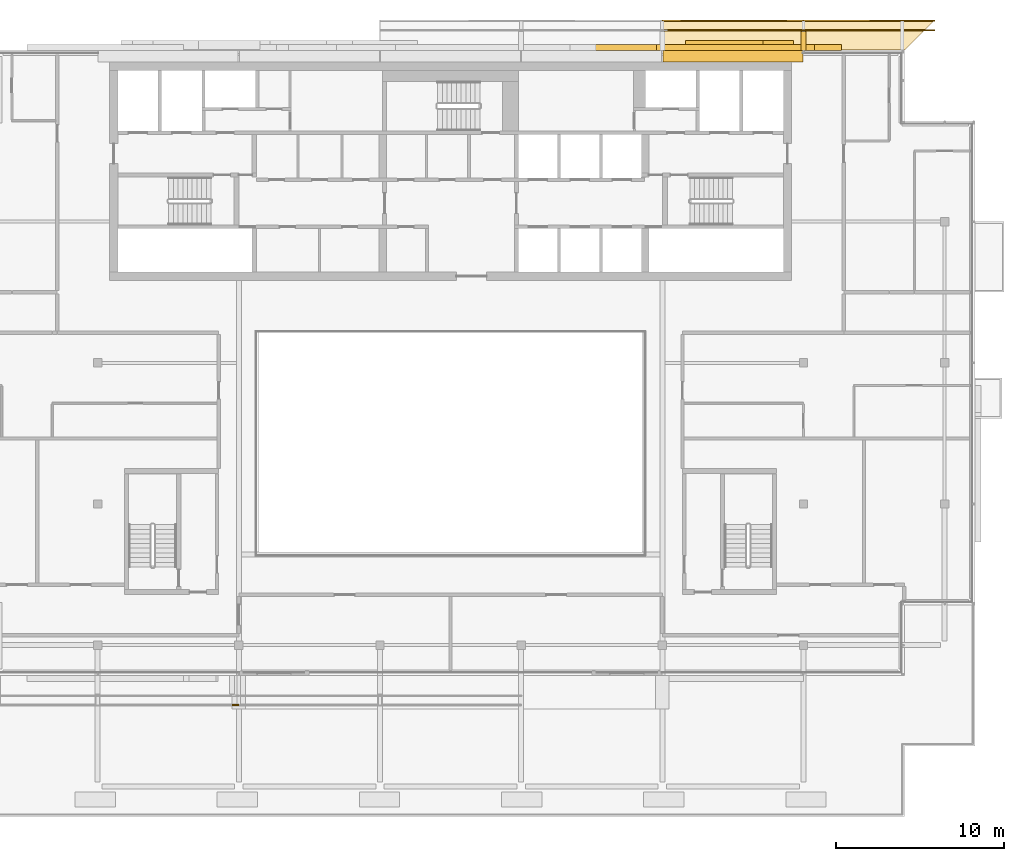
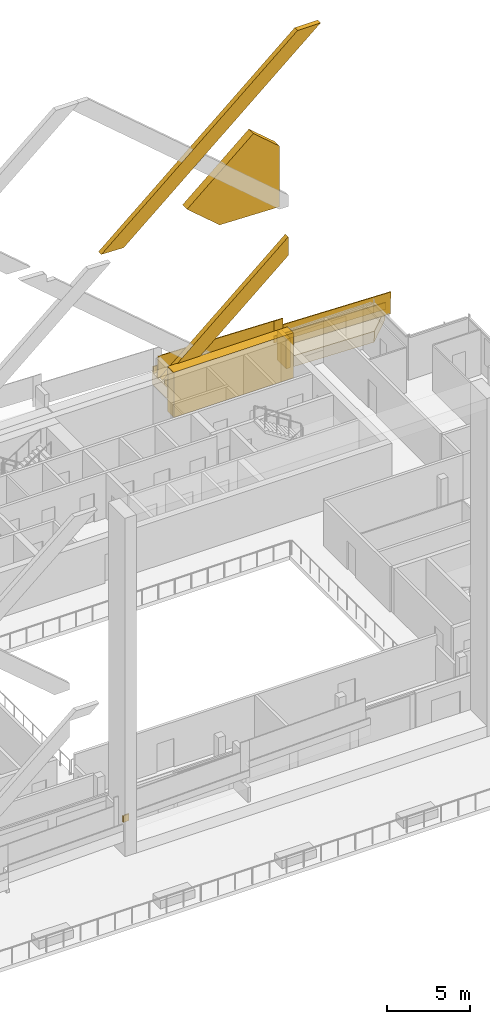
# One storey, part 21 of 22: 10 coverings, 3 railings.
"""IFC4 building model written with IfcOpenShell, lengths in metres."""

from ifc_helpers import new_model, si_unit, direction, frame, origin, origin_2d, place, context, subcontext, project, spatial, polyline, rectangle, outline, extrude, material, layer, layer_set, type_object, element, save


model = new_model("IFC4")

# Units and contexts
model_context = context("Model", 3, precision=1e-05, world=origin(), true_north=direction((0.0, 1.0)))
body_context = subcontext(model_context, "Body", "Model", "MODEL_VIEW")
ifc_project = project(units=[si_unit("LENGTHUNIT", "METRE"), si_unit("AREAUNIT", "SQUARE_METRE"), si_unit("VOLUMEUNIT", "CUBIC_METRE"), si_unit("PLANEANGLEUNIT", "RADIAN"), si_unit("MASSUNIT", "GRAM", prefix="KILO")], contexts=[model_context])

# Site, building, storey
site_placement = place(None, origin())
site = spatial("IfcSite", under=ifc_project, at=site_placement, CompositionType="ELEMENT")
building_placement = place(site_placement, origin())
building = spatial("IfcBuilding", under=site, at=building_placement, Name="Saffron Gate Tower", CompositionType="ELEMENT")
storey_placement = place(building_placement, frame((0.0, 0.0, 285.14990234375)))
storey = spatial("IfcBuildingStorey", under=building, at=storey_placement, Name="L69", CompositionType="ELEMENT", Elevation=285.14990234375)

# Coverings
ifc_material_1 = material(Name="Ceramic-printed bronze insulated panel")
ifc_layer_1 = layer(ifc_material_1, 0.739990234375)
ifc_layer_set_1 = layer_set([ifc_layer_1], Name="CLD5 ceramic-printed cladding panel 740")
covering_type_1 = type_object("IfcCoveringType", Name="CLD5 ceramic-printed cladding panel 740", PredefinedType="CLADDING", material=ifc_layer_set_1)
covering_1_placement = place(storey_placement, origin())
element("IfcCovering", 1, at=covering_1_placement, inside=storey, type_object=covering_type_1, Name="CLADDING ceramic-printed panel", PredefinedType="CLADDING", context=body_context, shape_type="SweptSolid", body=[
    extrude(outline(polyline([(108.56494140625, 75.639892578125), (100.235107421875, 75.639892578125), (100.235107421875, 74.89990234375), (108.56494140625, 74.89990234375), (108.56494140625, 75.639892578125)])), origin(), (0.0, 0.0, 1.0), 3.320068359375),
])
ifc_material_2 = material(Name="Timber, thermally modified ash", Category="wood")
ifc_layer_2 = layer(ifc_material_2, 0.800048828125)
ifc_layer_set_2 = layer_set([ifc_layer_2], Name="LD1 ledge timber")
covering_type_2 = type_object("IfcCoveringType", Name="LD1 ledge timber", PredefinedType="CLADDING", material=ifc_layer_set_2)
covering_2_placement = place(storey_placement, frame((114.60009765625, 75.60009765625, 0.900146484375), z_axis=(0.028807655518, 3.6731057e-05, 0.999584972693), x_axis=(-0.999584973368, 4.05e-10, 0.028807655538)))
element("IfcCovering", 2, at=covering_2_placement, inside=storey, type_object=covering_type_2, Name="LEDGE", PredefinedType="CLADDING", context=body_context, shape_type="SweptSolid", body=[
    extrude(outline(polyline([(0.0, 0.0), (6.0024892884776, -8.470329472543003e-22), (6.002489289205692, -1.7998046862858783), (-1.8005557742464937, -1.799804691870761), (0.0, 0.0)])), origin(), (0.0, 0.0, -1.0), 0.800048828125),
])
covering_3_placement = place(storey_placement, frame((108.60009765625, 75.60009765625, 1.540283203125), z_axis=(0.028819366951, 0.0, 0.999584635781), x_axis=(-0.999584635781, 0.0, 0.028819366951)))
element("IfcCovering", 3, at=covering_3_placement, inside=storey, type_object=covering_type_2, Name="LEDGE", PredefinedType="CLADDING", context=body_context, shape_type="SweptSolid", body=[
    extrude(outline(polyline([(0.0, 0.0), (8.403637054520734, 0.0), (8.403637054520734, -1.7998046874999998), (0.0, -1.7998046874999998), (0.0, 0.0)])), origin(), (0.0, 0.0, -1.0), 0.800048828125),
])
ifc_layer_3 = layer(ifc_material_2, 0.080078125)
ifc_layer_set_3 = layer_set([ifc_layer_3], Name="LD2 ledge planter trough")
covering_type_3 = type_object("IfcCoveringType", Name="LD2 ledge planter trough", PredefinedType="CLADDING", material=ifc_layer_set_3)
covering_4_placement = place(storey_placement, frame((74.60009765625, 36.60009765625, 2.39404296875), z_axis=(0.0, -1.0, 0.0), x_axis=(0.999570913265, 0.0, 0.029291455334)))
element("IfcCovering", 4, at=covering_4_placement, inside=storey, type_object=covering_type_3, Name="LEDGE planter trough", PredefinedType="CLADDING", context=body_context, shape_type="SweptSolid", body=[
    extrude(outline(polyline([(0.0, 0.0), (0.40007401020099476, 0.0), (0.4147197378678739, 0.499785456632251), (0.01464572766687915, 0.499785456632251), (0.0, 0.0)])), origin(), (0.0, 0.0, -1.0), 0.080078125),
])
covering_5_placement = place(storey_placement, frame((116.39990234375, 77.39990234375, 0.84814453125), z_axis=(0.0, 1.0, 0.0), x_axis=(-0.999584729268, 0.0, 0.028816124191)))
element("IfcCovering", 5, at=covering_5_placement, inside=storey, type_object=covering_type_3, Name="LEDGE planter trough", PredefinedType="CLADDING", context=body_context, shape_type="SweptSolid", body=[
    extrude(outline(polyline([(0.0, 0.0), (7.8030450637322275, 0.0), (7.817453125827761, 0.4997923646342062), (0.014408062095533487, 0.4997923646342061), (0.0, 0.0)])), origin(), (0.0, 0.0, -1.0), 0.080078125),
])
covering_6_placement = place(storey_placement, frame((108.60009765625, 77.39990234375, 1.540283203125), z_axis=(0.0, 1.0, 0.0), x_axis=(-0.999584635781, 0.0, 0.028819366951)))
element("IfcCovering", 6, at=covering_6_placement, inside=storey, type_object=covering_type_3, Name="LEDGE planter trough", PredefinedType="CLADDING", context=body_context, shape_type="SweptSolid", body=[
    extrude(outline(polyline([(0.0, 0.0), (8.403637054520734, 2.7755575615628914e-17), (8.418046737996397, 0.49979231789027256), (0.014409683475663392, 0.4997923178902725), (0.0, 0.0)])), origin(), (0.0, 0.0, -1.0), 0.080078125),
])
ifc_layer_4 = layer(ifc_material_2, 0.300048828125)
ifc_layer_set_4 = layer_set([ifc_layer_4], Name="LD3 ledge riser fin")
covering_type_4 = type_object("IfcCoveringType", Name="LD3 ledge riser fin", PredefinedType="CLADDING", material=ifc_layer_set_4)
covering_7_placement = place(storey_placement, frame((108.60009765625, 76.159912109375, 0.27294921875), z_axis=(0.0, 0.0, 1.0), x_axis=(-1.0, 0.0, 0.0)))
element("IfcCovering", 7, at=covering_7_placement, inside=storey, type_object=covering_type_4, Name="LEDGE riser fin", PredefinedType="CLADDING", context=body_context, shape_type="SweptSolid", body=[
    extrude(rectangle(XDim=0.300048828125, YDim=1.1201171875, at=origin_2d()), origin(), (0.0, 0.0, 1.0), 2.16748046875),
])

# Railings
railing_type = type_object("IfcRailingType", Name="LG1 ledge balustrade", PredefinedType="BALUSTRADE", material=ifc_material_2)
railing_1_placement = place(storey_placement, frame((116.39990234375, 76.800048828125, 0.84814453125)))
element("IfcRailing", 8, at=railing_1_placement, inside=storey, type_object=railing_type, Name="LEDGE BALUSTRADE", PredefinedType="BALUSTRADE", context=body_context, shape_type="SweptSolid", body=[
    extrude(rectangle(XDim=0.06005859375, YDim=1.60009765625, at=origin_2d()), frame((0.0, 0.0, 0.800048828125), z_axis=(-0.999584729268, 0.0, 0.028816124191), x_axis=(0.0, -1.0, 0.0)), (0.0, 0.0, 1.0), 7.802978515625),
])
railing_2_placement = place(storey_placement, frame((108.60009765625, 76.800048828125, 1.540283203125)))
element("IfcRailing", 9, at=railing_2_placement, inside=storey, type_object=railing_type, Name="LEDGE BALUSTRADE", PredefinedType="BALUSTRADE", context=body_context, shape_type="SweptSolid", body=[
    extrude(rectangle(XDim=0.06005859375, YDim=1.60009765625, at=origin_2d()), frame((0.0, 0.0, 0.800048828125), z_axis=(-0.999584635781, 0.0, 0.028819366951), x_axis=(0.0, -1.0, 0.0)), (0.0, 0.0, 1.0), 8.403564453125),
])
railing_3_placement = place(storey_placement, frame((108.89990234375, 76.800048828125, 1.072998046875)))
element("IfcRailing", 10, at=railing_3_placement, inside=storey, type_object=railing_type, Name="LEDGE BALUSTRADE", PredefinedType="BALUSTRADE", context=body_context, shape_type="SweptSolid", body=[
    extrude(rectangle(XDim=0.06005859375, YDim=2.0673828125, at=origin_2d()), frame((0.0, 0.0, 1.03369140625), z_axis=(-1.0, 0.0, 0.0), x_axis=(0.0, -1.0, 0.0)), (0.0, 0.0, 1.0), 0.599853515625),
])

# Coverings
ifc_layer_5 = layer(ifc_material_1, 0.35009765625)
ifc_layer_set_5 = layer_set([ifc_layer_5], Name="LZ1 lozenge lattice bar 1600")
covering_type_5 = type_object("IfcCoveringType", Name="LZ1 lozenge lattice bar 1600", PredefinedType="CLADDING", material=ifc_layer_set_5)
covering_8_placement = place(storey_placement, frame((100.663818359375, 75.949951171875, 1.76904296875), z_axis=(0.0, 1.0, 0.0), x_axis=(-0.999581288057, 0.0, 0.028935247812)))
element("IfcCovering", 11, at=covering_8_placement, inside=storey, type_object=covering_type_5, Name="CLADDING lozenge lattice bar", PredefinedType="CLADDING", context=body_context, shape_type="SweptSolid", body=[
    extrude(outline(polyline([(0.0, 0.0), (0.46406149559040744, 0.0), (0.48299373781126836, 0.6540229130842866), (0.8285977094326568, 0.6540325461790395), (-7.696444539580777, 8.400043853707254), (-7.736124541280246, 7.029280158634704), (0.0, 0.0)])), origin(), (0.0, 0.0, -1.0), 0.35009765625),
])
covering_9_placement = place(storey_placement, frame((97.14599609375, 75.949951171875, 13.15380859375), z_axis=(0.0, 1.0, 0.0), x_axis=(-0.999583815893, 0.0, 0.028847790303)))
element("IfcCovering", 12, at=covering_9_placement, inside=storey, type_object=covering_type_5, Name="CLADDING lozenge lattice bar", PredefinedType="CLADDING", context=body_context, shape_type="SweptSolid", body=[
    extrude(outline(polyline([(0.0, 0.0), (1.548740264209261, 0.0), (-11.760110519898362, 12.090623017984791), (-13.359542240933743, 12.136782299635868), (0.0, 0.0)])), origin(), (0.0, 0.0, -1.0), 0.35009765625),
])
ifc_layer_6 = layer(ifc_material_1, 0.550048828125)
ifc_layer_set_6 = layer_set([ifc_layer_6], Name="LZ2 rear relief panel 550")
covering_type_6 = type_object("IfcCoveringType", Name="LZ2 rear relief panel 550", PredefinedType="CLADDING", material=ifc_layer_set_6)
covering_10_placement = place(storey_placement, frame((106.199951171875, 76.18994140625, 18.360107421875), z_axis=(0.0, 1.0, 0.0), x_axis=(0.759242064387, 0.0, -0.650808334047)))
element("IfcCovering", 13, at=covering_10_placement, inside=storey, type_object=covering_type_6, Name="CLADDING rear relief panel", PredefinedType="CLADDING", context=body_context, shape_type="SweptSolid", body=[
    extrude(outline(polyline([(0.0, 0.0), (2.370849709937504, 2.220446049250313e-16), (5.286776112874195, 3.40176034317282), (2.0562865828980454, 6.013312963758726), (-0.930426368691486, 6.013220798225486), (0.0, 0.0)])), origin(), (0.0, 0.0, -1.0), 0.550048828125),
])

save(model, "model.ifc")
